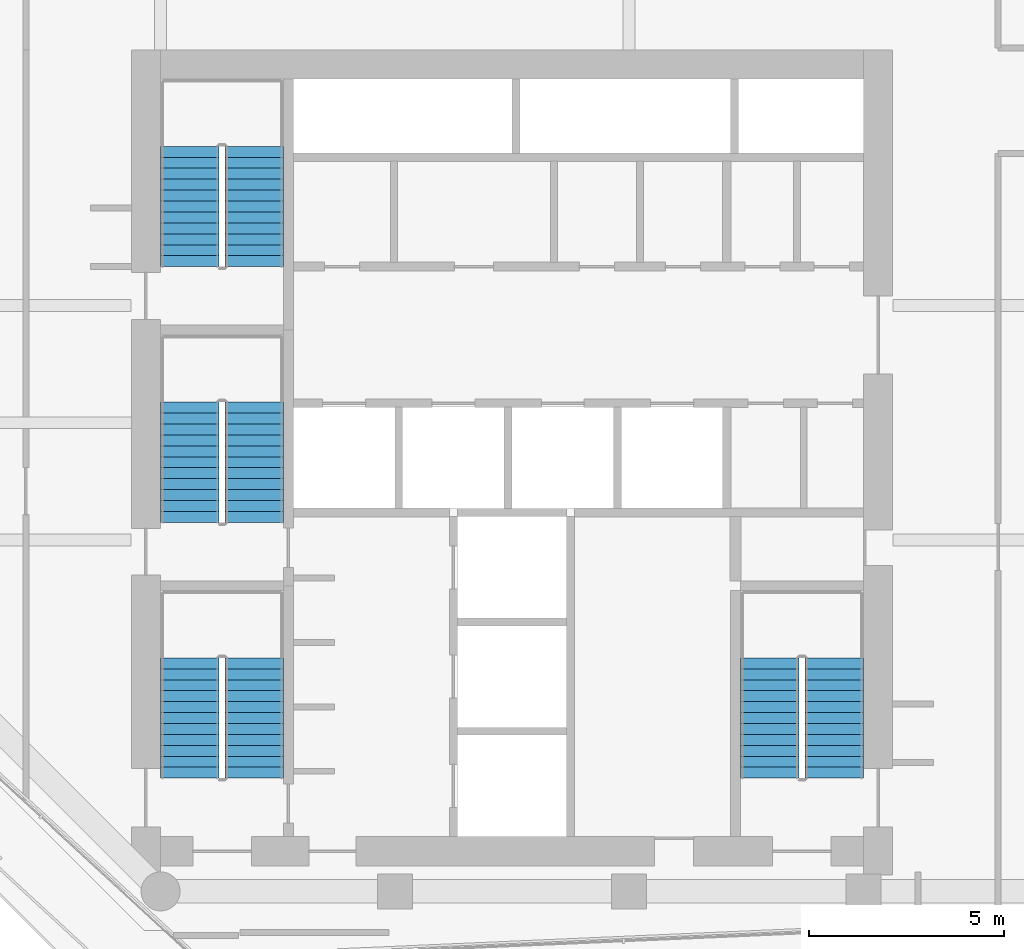
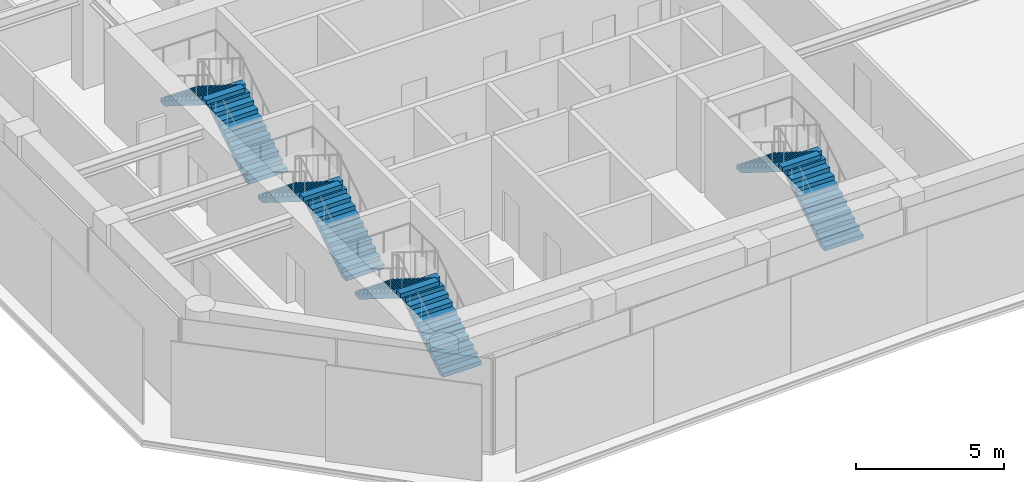
# One storey, part 22 of 24: 8 stair flights, 4 elements without a shape of their own.
"""IFC4 building model written with IfcOpenShell, lengths in metres."""

from ifc_helpers import new_model, si_unit, direction, frame, origin, place, context, subcontext, project, spatial, polyline, outline, extrude, material, type_object, element, aggregate, save


model = new_model("IFC4")

# Units and contexts
model_context = context("Model", 3, precision=1e-05, world=origin(), true_north=direction((0.0, 1.0)))
body_context = subcontext(model_context, "Body", "Model", "MODEL_VIEW")
ifc_project = project(units=[si_unit("LENGTHUNIT", "METRE"), si_unit("AREAUNIT", "SQUARE_METRE"), si_unit("VOLUMEUNIT", "CUBIC_METRE"), si_unit("PLANEANGLEUNIT", "RADIAN"), si_unit("MASSUNIT", "GRAM", prefix="KILO")], contexts=[model_context])

# Site, building, storey
site_placement = place(None, origin())
site = spatial("IfcSite", under=ifc_project, at=site_placement, CompositionType="ELEMENT")
building_placement = place(site_placement, origin())
building = spatial("IfcBuilding", under=site, at=building_placement, Name="Welwitschia Terrace Campus", CompositionType="ELEMENT")
storey_placement = place(building_placement, frame((0.0, 0.0, 100.39990234375)))
storey = spatial("IfcBuildingStorey", under=building, at=storey_placement, Name="L22", CompositionType="ELEMENT", Elevation=100.39990234375)

# Stair, stair flights
ifc_material_1 = material(Name="Concrete C40/50", Category="concrete")
stair_type = type_object("IfcStairType", Name="Stair 24R 175 W1500", PredefinedType="HALF_TURN_STAIR", material=ifc_material_1)
stair_1_placement = place(storey_placement, origin())
stair_1 = element("IfcStair", 1, at=stair_1_placement, inside=storey, type_object=stair_type, Name="L22 Exit stair S1", PredefinedType="HALF_TURN_STAIR")
ifc_material_2 = material(Name="Concrete C40/50", Category="concrete")
stair_flight_type = type_object("IfcStairFlightType", Name="Stair flight 24R 175 W1500", PredefinedType="STRAIGHT", material=ifc_material_2)
stair_flight_1_placement = place(storey_placement, frame((8.39990234375, 6.89990234375, 0.0), z_axis=(0.0, 0.0, 1.0), x_axis=(0.0, 1.0, 0.0)))
stair_flight_1 = element("IfcStairFlight", 2, at=stair_flight_1_placement, type_object=stair_flight_type, Name="S1 flight 1", NumberOfRisers=12, NumberOfTreads=11, PredefinedType="STRAIGHT", RiserHeight=0.175, TreadLength=0.28, context=body_context, shape_type="SweptSolid", body=[
    extrude(outline(polyline([(0.0, 0.0), (0.0, 0.175048828125), (0.280029296875, 0.175048828125), (0.280029296875, 0.35009765625), (0.56005859375, 0.35009765625), (0.56005859375, 0.52490234375), (0.840087890625, 0.52490234375), (0.840087890625, 0.699951171875), (1.1201171875, 0.699951171875), (1.1201171875, 0.875), (1.39990234375, 0.875), (1.39990234375, 1.050048828125), (1.679931640625, 1.050048828125), (1.679931640625, 1.22509765625), (1.9599609375, 1.22509765625), (1.9599609375, 1.39990234375), (2.239990234375, 1.39990234375), (2.239990234375, 1.574951171875), (2.52001953125, 1.574951171875), (2.52001953125, 1.75), (2.800048828125, 1.75), (2.800048828125, 1.925048828125), (3.080078125, 1.925048828125), (3.080078125, 2.10009765625), (3.080078125, 1.748291015625), (0.28271484375, 0.0), (0.0, 0.0)])), frame((0.0, 0.75, 0.0), z_axis=(0.0, -1.0, 0.0), x_axis=(1.0, 0.0, 0.0)), (0.0, 0.0, 1.0), 1.5),
])
stair_flight_2_placement = place(storey_placement, frame((6.75, 9.97998046875, 2.10009765625), z_axis=(0.0, 0.0, 1.0), x_axis=(0.0, -1.0, 0.0)))
stair_flight_2 = element("IfcStairFlight", 3, at=stair_flight_2_placement, type_object=stair_flight_type, Name="S1 flight 2", NumberOfRisers=12, NumberOfTreads=11, PredefinedType="STRAIGHT", RiserHeight=0.175, TreadLength=0.28, context=body_context, shape_type="SweptSolid", body=[
    extrude(outline(polyline([(0.0, 0.0), (0.0, 0.175048828125), (0.280029296875, 0.175048828125), (0.280029296875, 0.35009765625), (0.56005859375, 0.35009765625), (0.56005859375, 0.52490234375), (0.840087890625, 0.52490234375), (0.840087890625, 0.699951171875), (1.1201171875, 0.699951171875), (1.1201171875, 0.875), (1.39990234375, 0.875), (1.39990234375, 1.050048828125), (1.679931640625, 1.050048828125), (1.679931640625, 1.22509765625), (1.9599609375, 1.22509765625), (1.9599609375, 1.39990234375), (2.239990234375, 1.39990234375), (2.239990234375, 1.574951171875), (2.52001953125, 1.574951171875), (2.52001953125, 1.75), (2.800048828125, 1.75), (2.800048828125, 1.925048828125), (3.080078125, 1.925048828125), (3.080078125, 2.10009765625), (3.080078125, 1.748291015625), (0.28271484375, 0.0), (0.0, 0.0)])), frame((0.0, 0.75, 0.0), z_axis=(0.0, -1.0, 0.0), x_axis=(1.0, 0.0, 0.0)), (0.0, 0.0, 1.0), 1.5),
])
aggregate(stair_1, [stair_flight_1, stair_flight_2])

stair_2_placement = place(storey_placement, origin())
stair_2 = element("IfcStair", 4, at=stair_2_placement, inside=storey, type_object=stair_type, Name="L22 Exit stair S3", PredefinedType="HALF_TURN_STAIR")
stair_flight_3_placement = place(storey_placement, frame((8.39990234375, 13.449951171875, 0.0), z_axis=(0.0, 0.0, 1.0), x_axis=(0.0, 1.0, 0.0)))
stair_flight_3 = element("IfcStairFlight", 5, at=stair_flight_3_placement, type_object=stair_flight_type, Name="S3 flight 1", NumberOfRisers=12, NumberOfTreads=11, PredefinedType="STRAIGHT", RiserHeight=0.175, TreadLength=0.28, context=body_context, shape_type="SweptSolid", body=[
    extrude(outline(polyline([(0.0, 0.0), (0.0, 0.175048828125), (0.280029296875, 0.175048828125), (0.280029296875, 0.35009765625), (0.56005859375, 0.35009765625), (0.56005859375, 0.52490234375), (0.840087890625, 0.52490234375), (0.840087890625, 0.699951171875), (1.1201171875, 0.699951171875), (1.1201171875, 0.875), (1.39990234375, 0.875), (1.39990234375, 1.050048828125), (1.679931640625, 1.050048828125), (1.679931640625, 1.22509765625), (1.9599609375, 1.22509765625), (1.9599609375, 1.39990234375), (2.239990234375, 1.39990234375), (2.239990234375, 1.574951171875), (2.52001953125, 1.574951171875), (2.52001953125, 1.75), (2.800048828125, 1.75), (2.800048828125, 1.925048828125), (3.080078125, 1.925048828125), (3.080078125, 2.10009765625), (3.080078125, 1.748291015625), (0.28271484375, 0.0), (0.0, 0.0)])), frame((0.0, 0.75, 0.0), z_axis=(0.0, -1.0, 0.0), x_axis=(1.0, 0.0, 0.0)), (0.0, 0.0, 1.0), 1.5),
])
stair_flight_4_placement = place(storey_placement, frame((6.75, 16.530029296875, 2.10009765625), z_axis=(0.0, 0.0, 1.0), x_axis=(0.0, -1.0, 0.0)))
stair_flight_4 = element("IfcStairFlight", 6, at=stair_flight_4_placement, type_object=stair_flight_type, Name="S3 flight 2", NumberOfRisers=12, NumberOfTreads=11, PredefinedType="STRAIGHT", RiserHeight=0.175, TreadLength=0.28, context=body_context, shape_type="SweptSolid", body=[
    extrude(outline(polyline([(0.0, 0.0), (0.0, 0.175048828125), (0.280029296875, 0.175048828125), (0.280029296875, 0.35009765625), (0.56005859375, 0.35009765625), (0.56005859375, 0.52490234375), (0.840087890625, 0.52490234375), (0.840087890625, 0.699951171875), (1.1201171875, 0.699951171875), (1.1201171875, 0.875), (1.39990234375, 0.875), (1.39990234375, 1.050048828125), (1.679931640625, 1.050048828125), (1.679931640625, 1.22509765625), (1.9599609375, 1.22509765625), (1.9599609375, 1.39990234375), (2.239990234375, 1.39990234375), (2.239990234375, 1.574951171875), (2.52001953125, 1.574951171875), (2.52001953125, 1.75), (2.800048828125, 1.75), (2.800048828125, 1.925048828125), (3.080078125, 1.925048828125), (3.080078125, 2.10009765625), (3.080078125, 1.748291015625), (0.28271484375, 0.0), (0.0, 0.0)])), frame((0.0, 0.75, 0.0), z_axis=(0.0, -1.0, 0.0), x_axis=(1.0, 0.0, 0.0)), (0.0, 0.0, 1.0), 1.5),
])
aggregate(stair_2, [stair_flight_3, stair_flight_4])

stair_3_placement = place(storey_placement, origin())
stair_3 = element("IfcStair", 7, at=stair_3_placement, inside=storey, type_object=stair_type, Name="L22 Exit stair S4", PredefinedType="HALF_TURN_STAIR")
stair_flight_5_placement = place(storey_placement, frame((8.39990234375, 20.0, 0.0), z_axis=(0.0, 0.0, 1.0), x_axis=(0.0, 1.0, 0.0)))
stair_flight_5 = element("IfcStairFlight", 8, at=stair_flight_5_placement, type_object=stair_flight_type, Name="S4 flight 1", NumberOfRisers=12, NumberOfTreads=11, PredefinedType="STRAIGHT", RiserHeight=0.175, TreadLength=0.28, context=body_context, shape_type="SweptSolid", body=[
    extrude(outline(polyline([(0.0, 0.0), (0.0, 0.175048828125), (0.280029296875, 0.175048828125), (0.280029296875, 0.35009765625), (0.56005859375, 0.35009765625), (0.56005859375, 0.52490234375), (0.840087890625, 0.52490234375), (0.840087890625, 0.699951171875), (1.1201171875, 0.699951171875), (1.1201171875, 0.875), (1.39990234375, 0.875), (1.39990234375, 1.050048828125), (1.679931640625, 1.050048828125), (1.679931640625, 1.22509765625), (1.9599609375, 1.22509765625), (1.9599609375, 1.39990234375), (2.239990234375, 1.39990234375), (2.239990234375, 1.574951171875), (2.52001953125, 1.574951171875), (2.52001953125, 1.75), (2.800048828125, 1.75), (2.800048828125, 1.925048828125), (3.080078125, 1.925048828125), (3.080078125, 2.10009765625), (3.080078125, 1.748291015625), (0.28271484375, 0.0), (0.0, 0.0)])), frame((0.0, 0.75, 0.0), z_axis=(0.0, -1.0, 0.0), x_axis=(1.0, 0.0, 0.0)), (0.0, 0.0, 1.0), 1.5),
])
stair_flight_6_placement = place(storey_placement, frame((6.75, 23.080078125, 2.10009765625), z_axis=(0.0, 0.0, 1.0), x_axis=(0.0, -1.0, 0.0)))
stair_flight_6 = element("IfcStairFlight", 9, at=stair_flight_6_placement, type_object=stair_flight_type, Name="S4 flight 2", NumberOfRisers=12, NumberOfTreads=11, PredefinedType="STRAIGHT", RiserHeight=0.175, TreadLength=0.28, context=body_context, shape_type="SweptSolid", body=[
    extrude(outline(polyline([(0.0, 0.0), (0.0, 0.175048828125), (0.280029296875, 0.175048828125), (0.280029296875, 0.35009765625), (0.56005859375, 0.35009765625), (0.56005859375, 0.52490234375), (0.840087890625, 0.52490234375), (0.840087890625, 0.699951171875), (1.1201171875, 0.699951171875), (1.1201171875, 0.875), (1.39990234375, 0.875), (1.39990234375, 1.050048828125), (1.679931640625, 1.050048828125), (1.679931640625, 1.22509765625), (1.9599609375, 1.22509765625), (1.9599609375, 1.39990234375), (2.239990234375, 1.39990234375), (2.239990234375, 1.574951171875), (2.52001953125, 1.574951171875), (2.52001953125, 1.75), (2.800048828125, 1.75), (2.800048828125, 1.925048828125), (3.080078125, 1.925048828125), (3.080078125, 2.10009765625), (3.080078125, 1.748291015625), (0.28271484375, 0.0), (0.0, 0.0)])), frame((0.0, 0.75, 0.0), z_axis=(0.0, -1.0, 0.0), x_axis=(1.0, 0.0, 0.0)), (0.0, 0.0, 1.0), 1.5),
])
aggregate(stair_3, [stair_flight_5, stair_flight_6])

stair_4_placement = place(storey_placement, origin())
stair_4 = element("IfcStair", 10, at=stair_4_placement, inside=storey, type_object=stair_type, Name="L22 Exit stair S2", PredefinedType="HALF_TURN_STAIR")
stair_flight_7_placement = place(storey_placement, frame((23.25, 6.89990234375, 0.0), z_axis=(0.0, 0.0, 1.0), x_axis=(0.0, 1.0, 0.0)))
stair_flight_7 = element("IfcStairFlight", 11, at=stair_flight_7_placement, type_object=stair_flight_type, Name="S2 flight 1", NumberOfRisers=12, NumberOfTreads=11, PredefinedType="STRAIGHT", RiserHeight=0.175, TreadLength=0.28, context=body_context, shape_type="SweptSolid", body=[
    extrude(outline(polyline([(0.0, 0.0), (0.0, 0.175048828125), (0.280029296875, 0.175048828125), (0.280029296875, 0.35009765625), (0.56005859375, 0.35009765625), (0.56005859375, 0.52490234375), (0.840087890625, 0.52490234375), (0.840087890625, 0.699951171875), (1.1201171875, 0.699951171875), (1.1201171875, 0.875), (1.39990234375, 0.875), (1.39990234375, 1.050048828125), (1.679931640625, 1.050048828125), (1.679931640625, 1.22509765625), (1.9599609375, 1.22509765625), (1.9599609375, 1.39990234375), (2.239990234375, 1.39990234375), (2.239990234375, 1.574951171875), (2.52001953125, 1.574951171875), (2.52001953125, 1.75), (2.800048828125, 1.75), (2.800048828125, 1.925048828125), (3.080078125, 1.925048828125), (3.080078125, 2.10009765625), (3.080078125, 1.748291015625), (0.28271484375, 0.0), (0.0, 0.0)])), frame((0.0, 0.75, 0.0), z_axis=(0.0, -1.0, 0.0), x_axis=(1.0, 0.0, 0.0)), (0.0, 0.0, 1.0), 1.5),
])
stair_flight_8_placement = place(storey_placement, frame((21.60009765625, 9.97998046875, 2.10009765625), z_axis=(0.0, 0.0, 1.0), x_axis=(0.0, -1.0, 0.0)))
stair_flight_8 = element("IfcStairFlight", 12, at=stair_flight_8_placement, type_object=stair_flight_type, Name="S2 flight 2", NumberOfRisers=12, NumberOfTreads=11, PredefinedType="STRAIGHT", RiserHeight=0.175, TreadLength=0.28, context=body_context, shape_type="SweptSolid", body=[
    extrude(outline(polyline([(0.0, 0.0), (0.0, 0.175048828125), (0.280029296875, 0.175048828125), (0.280029296875, 0.35009765625), (0.56005859375, 0.35009765625), (0.56005859375, 0.52490234375), (0.840087890625, 0.52490234375), (0.840087890625, 0.699951171875), (1.1201171875, 0.699951171875), (1.1201171875, 0.875), (1.39990234375, 0.875), (1.39990234375, 1.050048828125), (1.679931640625, 1.050048828125), (1.679931640625, 1.22509765625), (1.9599609375, 1.22509765625), (1.9599609375, 1.39990234375), (2.239990234375, 1.39990234375), (2.239990234375, 1.574951171875), (2.52001953125, 1.574951171875), (2.52001953125, 1.75), (2.800048828125, 1.75), (2.800048828125, 1.925048828125), (3.080078125, 1.925048828125), (3.080078125, 2.10009765625), (3.080078125, 1.748291015625), (0.28271484375, 0.0), (0.0, 0.0)])), frame((0.0, 0.75, 0.0), z_axis=(0.0, -1.0, 0.0), x_axis=(1.0, 0.0, 0.0)), (0.0, 0.0, 1.0), 1.5),
])
aggregate(stair_4, [stair_flight_7, stair_flight_8])

save(model, "model.ifc")
